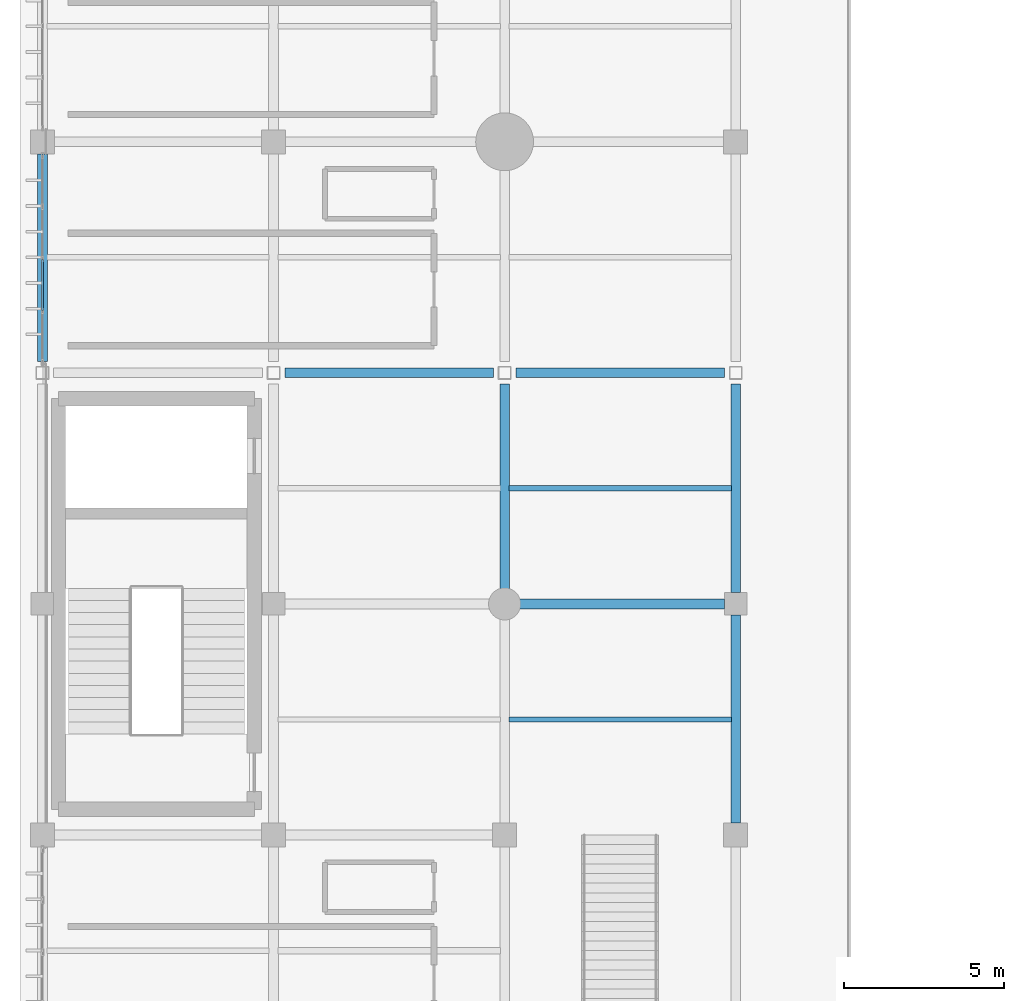
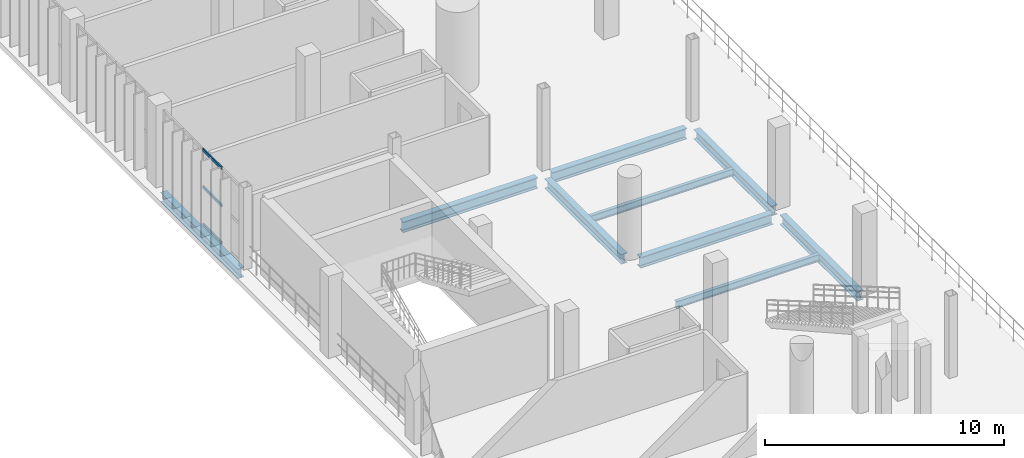
# One storey, part 53 of 130: 9 beams, 3 members, 1 element without a shape of its own.
"""IFC4 building model written with IfcOpenShell, lengths in metres."""

import ifcopenshell
import ifcopenshell.guid

model = None  # the IFC model being written
_history = None  # IfcOwnerHistory: only IFC2X3 demands one
_inside = {}  # id of a spatial element -> (the spatial element, [elements in it])
_under = {}  # id of a project, library or spatial element -> (it, [spatial elements below it])
_declared = {}  # id of a project -> (the project, [libraries it declares])
_typed = {}  # id of a type object -> (the type object, [elements of that type])
_made_of = {}  # id of a material, layer set ... -> (it, [elements and type objects made of it])


def new_model(schema):
    """Start an empty IFC model of exactly this schema.

    Asked for "IFC4X3", IfcOpenShell would pick the latest addendum, in which some entities
    have other attributes; the version numbers below select the first issue.
    IFC2X3 requires an IfcOwnerHistory on every rooted entity: one is made here for all.
    """
    global model, _history
    if schema == "IFC4X3":
        model = ifcopenshell.file(schema_version=(4, 3, 0, 0))
    else:
        model = ifcopenshell.file(schema=schema)
    _inside.clear()
    _under.clear()
    _declared.clear()
    _typed.clear()
    _made_of.clear()
    _history = None
    if model.schema == "IFC2X3":
        org = make("IfcOrganization", Name="unknown")
        user = make(
            "IfcPersonAndOrganization",
            ThePerson=make("IfcPerson", FamilyName="unknown"),
            TheOrganization=org,
        )
        app = make(
            "IfcApplication",
            ApplicationDeveloper=org,
            Version="unknown",
            ApplicationFullName="unknown",
            ApplicationIdentifier="unknown",
        )
        _history = make(
            "IfcOwnerHistory",
            OwningUser=user,
            OwningApplication=app,
            ChangeAction="ADDED",
            CreationDate=0,
        )
    return model


def make(cls, **values):
    """One entity of the class cls with the attributes given. An attribute that is None is left unset."""
    return model.create_entity(
        cls, **{name: value for name, value in values.items() if value is not None}
    )


def rooted(cls, **values):
    """An entity with a GlobalId (a new one), such as an element, a storey or a relation."""
    return make(cls, GlobalId=ifcopenshell.guid.new(), OwnerHistory=_history, **values)


def si_unit(unit_type, name, prefix=None):
    """IfcSIUnit, for example si_unit("LENGTHUNIT", "METRE", prefix="MILLI")."""
    return make("IfcSIUnit", UnitType=unit_type, Prefix=prefix, Name=name)


def assignment(units):
    """IfcUnitAssignment: the units of a project."""
    return None if units is None else make("IfcUnitAssignment", Units=units)


def point(xyz):
    """IfcCartesianPoint."""
    return None if xyz is None else make("IfcCartesianPoint", Coordinates=xyz)


def direction(xyz):
    """IfcDirection."""
    return None if xyz is None else make("IfcDirection", DirectionRatios=xyz)


def frame(location, z_axis=None, x_axis=None):
    """IfcAxis2Placement3D, a coordinate frame: its origin and axes. An axis left out is left unset."""
    return make(
        "IfcAxis2Placement3D",
        Location=point(location),
        Axis=direction(z_axis),
        RefDirection=direction(x_axis),
    )


def frame_2d(location, x_axis=None):
    """IfcAxis2Placement2D, a coordinate frame in the plane: its origin and x axis."""
    return make(
        "IfcAxis2Placement2D", Location=point(location), RefDirection=direction(x_axis)
    )


def origin():
    """The frame at (0, 0, 0) with its axes left unset."""
    return frame((0.0, 0.0, 0.0))


def origin_2d():
    """The frame at (0, 0) in the plane with its x axis left unset."""
    return frame_2d((0.0, 0.0))


def place(relative_to, where):
    """IfcLocalPlacement: puts the frame where relative to a parent placement (None: the world)."""
    return make(
        "IfcLocalPlacement", PlacementRelTo=relative_to, RelativePlacement=where
    )


def context(
    kind, dimensions, precision=None, world=None, true_north=None, identifier=None
):
    """IfcGeometricRepresentationContext, for example the 3D "Model" context."""
    return make(
        "IfcGeometricRepresentationContext",
        ContextIdentifier=identifier,
        ContextType=kind,
        CoordinateSpaceDimension=dimensions,
        Precision=precision,
        WorldCoordinateSystem=world,
        TrueNorth=true_north,
    )


def subcontext(parent, identifier, kind, view, scale=None):
    """IfcGeometricRepresentationSubContext, for example "Body" below "Model"."""
    return make(
        "IfcGeometricRepresentationSubContext",
        ContextIdentifier=identifier,
        ContextType=kind,
        ParentContext=parent,
        TargetScale=scale,
        TargetView=view,
    )


def project(units=None, contexts=None):
    """IfcProject with its units and contexts."""
    return rooted(
        "IfcProject",
        Name="project",
        RepresentationContexts=contexts,
        UnitsInContext=assignment(units),
    )


def spatial(cls, under=None, at=None, **own):
    """A site, building, storey or space (cls), placed at a placement, below another one or the project."""
    s = rooted(cls, ObjectPlacement=at, **own)
    if under is not None:
        _under.setdefault(under.id(), (under, []))[1].append(s)
    return s


def profile(cls, at=None, kind="AREA", **sizes):
    """A parametric profile (cls). Its sizes go by their IFC names, for example OverallWidth=200.0."""
    return make(cls, ProfileType=kind, Position=at, **sizes)


def hollow_rectangle(**sizes):
    """IfcRectangleHollowProfileDef."""
    return profile("IfcRectangleHollowProfileDef", **sizes)


def i_section(**sizes):
    """IfcIShapeProfileDef."""
    return profile("IfcIShapeProfileDef", **sizes)


def extrude(swept, where, along, depth):
    """IfcExtrudedAreaSolid: the profile swept, set in the frame where, extruded along a direction by depth."""
    return make(
        "IfcExtrudedAreaSolid",
        SweptArea=swept,
        Position=where,
        ExtrudedDirection=direction(along),
        Depth=depth,
    )


def shape(context_of_items, identifier, shape_type, items):
    """IfcShapeRepresentation: the items that make up one representation, for example the "Body"."""
    return make(
        "IfcShapeRepresentation",
        ContextOfItems=context_of_items,
        RepresentationIdentifier=identifier,
        RepresentationType=shape_type,
        Items=items,
    )


def material(Name=None, Category=None):
    """IfcMaterial."""
    return make("IfcMaterial", Name=Name, Category=Category)


def material_profile(
    of_material, cross_section, Name=None, Category=None, Priority=None
):
    """IfcMaterialProfile: a cross section and its material."""
    return make(
        "IfcMaterialProfile",
        Name=Name,
        Material=of_material,
        Profile=cross_section,
        Priority=Priority,
        Category=Category,
    )


def profile_set(profiles, Name=None, composite=None):
    """IfcMaterialProfileSet."""
    return make(
        "IfcMaterialProfileSet",
        Name=Name,
        MaterialProfiles=profiles,
        CompositeProfile=composite,
    )


def made_of(thing, what):
    """Note that an element or type object is made of a material, layer set ...; save() writes the relation."""
    if what is not None:
        _made_of.setdefault(what.id(), (what, []))[1].append(thing)
    return thing


def type_object(cls, material=None, **own):
    """A type object (cls), such as IfcWallType, which elements share."""
    return made_of(rooted(cls, **own), material)


def element(
    cls,
    number,
    at=None,
    inside=None,
    cuts=None,
    type_object=None,
    material=None,
    context=None,
    identifier="Body",
    shape_type=None,
    held_by="IfcProductDefinitionShape",
    body=None,
    shapes=None,
    **own,
):
    """One element of the class cls, such as IfcWall. Its Tag is "e" and its number.

    at: its placement. inside: the storey or other place that contains it. cuts: it is an
    opening in that element (IfcRelVoidsElement). A single representation is given by context,
    identifier, shape_type and body (its items); several are given by shapes. held_by: the class
    of the entity that holds the representations. save() writes the other relations.
    """
    e = rooted(cls, Tag="e%d" % number, ObjectPlacement=at, **own)
    if body is not None:
        shapes = [shape(context, identifier, shape_type, body)]
    if shapes is not None:
        e.Representation = make(held_by, Representations=shapes)
    if inside is not None:
        _inside.setdefault(inside.id(), (inside, []))[1].append(e)
    if cuts is not None:
        rooted(
            "IfcRelVoidsElement", RelatingBuildingElement=cuts, RelatedOpeningElement=e
        )
    if type_object is not None:
        _typed.setdefault(type_object.id(), (type_object, []))[1].append(e)
    return made_of(e, material)


def aggregate(whole, parts):
    """IfcRelAggregates: a whole, such as a stair, and the parts it consists of."""
    return rooted("IfcRelAggregates", RelatingObject=whole, RelatedObjects=parts)


def save(model, path):
    """Write the relations noted so far, then the file.

    IfcRelAggregates (storeys below a building ...), IfcRelContainedInSpatialStructure (elements
    in a storey), IfcRelDefinesByType, IfcRelAssociatesMaterial and IfcRelDeclares: one each for
    every whole, place, type object, material and project.
    """
    for whole, parts in _under.values():
        aggregate(whole, parts)
    for where, things in _inside.values():
        rooted(
            "IfcRelContainedInSpatialStructure",
            RelatedElements=things,
            RelatingStructure=where,
        )
    for kind, things in _typed.values():
        rooted("IfcRelDefinesByType", RelatedObjects=things, RelatingType=kind)
    for what, things in _made_of.values():
        rooted("IfcRelAssociatesMaterial", RelatedObjects=things, RelatingMaterial=what)
    for by, libraries in _declared.values():
        rooted("IfcRelDeclares", RelatingContext=by, RelatedDefinitions=libraries)
    model.write(path)


model = new_model("IFC4")

# Units and contexts
model_context = context("Model", 3, precision=1e-05, world=origin(), true_north=direction((0.0, 1.0)))
body_context = subcontext(model_context, "Body", "Model", "MODEL_VIEW")
ifc_project = project(units=[si_unit("LENGTHUNIT", "METRE"), si_unit("AREAUNIT", "SQUARE_METRE"), si_unit("VOLUMEUNIT", "CUBIC_METRE"), si_unit("PLANEANGLEUNIT", "RADIAN"), si_unit("MASSUNIT", "GRAM", prefix="KILO")], contexts=[model_context])

# Site, building, storey
site_placement = place(None, origin())
site = spatial("IfcSite", under=ifc_project, at=site_placement, CompositionType="ELEMENT")
building_placement = place(site_placement, origin())
building = spatial("IfcBuilding", under=site, at=building_placement, Name="Qandorah Velis Arena", CompositionType="ELEMENT")
storey_placement = place(building_placement, frame((0.0, 0.0, 9.60009765625)))
storey = spatial("IfcBuildingStorey", under=building, at=storey_placement, Name="L02", CompositionType="ELEMENT", Elevation=9.60009765625)

# Curtain wall, members
ifc_material_1 = material(Name="Solar-control low-E double glazing", Category="glass")
curtain_wall_type = type_object("IfcCurtainWallType", Name="ARC-CW-SYS18", PredefinedType="USERDEFINED", material=ifc_material_1)
curtain_wall_placement = place(storey_placement, origin())
curtain_wall = element("IfcCurtainWall", 1, at=curtain_wall_placement, inside=storey, type_object=curtain_wall_type, Name="Unitised curtain wall L02-018", ObjectType="UNITISED CURTAIN WALL", PredefinedType="USERDEFINED")
ifc_material_2 = material(Name="Champagne-bronze anodized aluminium 6063-T6", Category="aluminium")
ifc_material_profile_1 = material_profile(ifc_material_2, hollow_rectangle(XDim=0.06494140625, YDim=0.139892578125, WallThickness=0.0029296875, at=origin_2d()), Name="ALU TRANSOM 65x140")
ifc_profile_set_1 = profile_set([ifc_material_profile_1], Name="Champagne-bronze anodized aluminium 6063-T6")
member_type = type_object("IfcMemberType", Name="ARC-CWT-140", PredefinedType="USERDEFINED", material=ifc_profile_set_1)
member_1_placement = place(storey_placement, frame((0.0, 95.54541015625, 0.032470703125), z_axis=(0.0, 1.0, 0.0), x_axis=(-1.0, 0.0, 0.0)))
member_1 = element("IfcMember", 2, at=member_1_placement, type_object=member_type, Name="CW18 transom 2.1", ObjectType="TRANSOM", PredefinedType="USERDEFINED", context=body_context, shape_type="SweptSolid", body=[
    extrude(hollow_rectangle(XDim=0.06494140625, YDim=0.139892578125, WallThickness=0.0029296875, at=origin_2d()), origin(), (0.0, 0.0, 1.0), 1.583984375),
])
member_2_placement = place(storey_placement, frame((0.0, 95.54541015625, 1.93994140625), z_axis=(0.0, 1.0, 0.0), x_axis=(-1.0, 0.0, 0.0)))
member_2 = element("IfcMember", 3, at=member_2_placement, type_object=member_type, Name="CW18 transom 2.2", ObjectType="TRANSOM", PredefinedType="USERDEFINED", context=body_context, shape_type="SweptSolid", body=[
    extrude(hollow_rectangle(XDim=0.06494140625, YDim=0.139892578125, WallThickness=0.0029296875, at=origin_2d()), origin(), (0.0, 0.0, 1.0), 1.583984375),
])
member_3_placement = place(storey_placement, frame((0.0, 95.54541015625, 3.847412109375), z_axis=(0.0, 1.0, 0.0), x_axis=(-1.0, 0.0, 0.0)))
member_3 = element("IfcMember", 4, at=member_3_placement, type_object=member_type, Name="CW18 transom 2.3", ObjectType="TRANSOM", PredefinedType="USERDEFINED", context=body_context, shape_type="SweptSolid", body=[
    extrude(hollow_rectangle(XDim=0.06494140625, YDim=0.139892578125, WallThickness=0.0029296875, at=origin_2d()), origin(), (0.0, 0.0, 1.0), 1.583984375),
])
aggregate(curtain_wall, [member_1, member_2, member_3])

# Beams
ifc_material_3 = material(Name="Steel S355", Category="steel")
ifc_material_profile_2 = material_profile(ifc_material_3, i_section(OverallWidth=0.300048828125, OverallDepth=0.5, WebThickness=0.014404296875, FlangeThickness=0.028076171875, FilletRadius=0.027099609375, at=origin_2d()), Name="HEB 500")
ifc_profile_set_2 = profile_set([ifc_material_profile_2], Name="Steel S355")
beam_type_1 = type_object("IfcBeamType", Name="STR-BM-HEB500", PredefinedType="BEAM", material=ifc_profile_set_2)
beam_1_placement = place(storey_placement, frame((0.0, 93.949951171875, -0.530029296875), z_axis=(0.0, 1.0, 0.0), x_axis=(-1.0, 0.0, 0.0)))
element("IfcBeam", 5, at=beam_1_placement, inside=storey, type_object=beam_type_1, Name="Primary floor girder L02 Y-195", PredefinedType="BEAM", context=body_context, shape_type="SweptSolid", body=[
    extrude(i_section(OverallWidth=0.300048828125, OverallDepth=0.5, WebThickness=0.014404296875, FlangeThickness=0.028076171875, FilletRadius=0.027099609375, at=origin_2d()), origin(), (0.0, 0.0, 1.0), 6.47509765625),
])
beam_2_placement = place(storey_placement, frame((14.39990234375, 86.85009765625, -0.530029296875), z_axis=(0.0, 1.0, 0.0), x_axis=(-1.0, 0.0, 0.0)))
element("IfcBeam", 6, at=beam_2_placement, inside=storey, type_object=beam_type_1, Name="Primary floor girder L02 Y-222", PredefinedType="BEAM", context=body_context, shape_type="SweptSolid", body=[
    extrude(i_section(OverallWidth=0.300048828125, OverallDepth=0.5, WebThickness=0.014404296875, FlangeThickness=0.028076171875, FilletRadius=0.027099609375, at=origin_2d()), origin(), (0.0, 0.0, 1.0), 6.39990234375),
])
beam_3_placement = place(storey_placement, frame((21.60009765625, 79.574951171875, -0.530029296875), z_axis=(0.0, 1.0, 0.0), x_axis=(-1.0, 0.0, 0.0)))
element("IfcBeam", 7, at=beam_3_placement, inside=storey, type_object=beam_type_1, Name="Primary floor girder L02 Y-235", PredefinedType="BEAM", context=body_context, shape_type="SweptSolid", body=[
    extrude(i_section(OverallWidth=0.300048828125, OverallDepth=0.5, WebThickness=0.014404296875, FlangeThickness=0.028076171875, FilletRadius=0.027099609375, at=origin_2d()), origin(), (0.0, 0.0, 1.0), 6.47509765625),
])
beam_4_placement = place(storey_placement, frame((21.60009765625, 86.75, -0.530029296875), z_axis=(0.0, 1.0, 0.0), x_axis=(-1.0, 0.0, 0.0)))
element("IfcBeam", 8, at=beam_4_placement, inside=storey, type_object=beam_type_1, Name="Primary floor girder L02 Y-236", PredefinedType="BEAM", context=body_context, shape_type="SweptSolid", body=[
    extrude(i_section(OverallWidth=0.300048828125, OverallDepth=0.5, WebThickness=0.014404296875, FlangeThickness=0.028076171875, FilletRadius=0.027099609375, at=origin_2d()), origin(), (0.0, 0.0, 1.0), 6.5),
])
ifc_material_profile_3 = material_profile(ifc_material_3, i_section(OverallWidth=0.300048828125, OverallDepth=0.550048828125, WebThickness=0.014892578125, FlangeThickness=0.029052734375, FilletRadius=0.027099609375, at=origin_2d()), Name="HEB 550")
ifc_profile_set_3 = profile_set([ifc_material_profile_3], Name="Steel S355")
beam_type_2 = type_object("IfcBeamType", Name="STR-BM-HEB550", PredefinedType="BEAM", material=ifc_profile_set_3)
beam_5_placement = place(storey_placement, frame((14.85009765625, 86.39990234375, -0.55517578125), z_axis=(1.0, 0.0, 0.0), x_axis=(0.0, 1.0, 0.0)))
element("IfcBeam", 9, at=beam_5_placement, inside=storey, type_object=beam_type_2, Name="Primary floor girder L02 X-111", PredefinedType="BEAM", context=body_context, shape_type="SweptSolid", body=[
    extrude(i_section(OverallWidth=0.300048828125, OverallDepth=0.550048828125, WebThickness=0.014892578125, FlangeThickness=0.029052734375, FilletRadius=0.027099609375, at=origin_2d()), origin(), (0.0, 0.0, 1.0), 6.39990234375),
])
for number, where, z_axis, x_axis, name in (
    (10, (7.550048828125, 93.60009765625, -0.55517578125), (1.0, 0.0, 0.0), (0.0, 1.0, 0.0), "Primary floor girder L02 X-118"),
    (11, (14.75, 93.60009765625, -0.55517578125), (1.0, 0.0, 0.0), (0.0, 1.0, 0.0), "Primary floor girder L02 X-119"),
):
    element("IfcBeam", number, at=place(storey_placement, frame(where, z_axis=z_axis, x_axis=x_axis)), inside=storey, type_object=beam_type_2, Name=name, PredefinedType="BEAM", context=body_context, shape_type="SweptSolid", body=[
        extrude(i_section(OverallWidth=0.300048828125, OverallDepth=0.550048828125, WebThickness=0.014892578125, FlangeThickness=0.029052734375, FilletRadius=0.027099609375, at=origin_2d()), origin(), (0.0, 0.0, 1.0), 6.5),
    ])
ifc_material_profile_4 = material_profile(ifc_material_3, i_section(OverallWidth=0.169921875, OverallDepth=0.360107421875, WebThickness=0.008056640625, FlangeThickness=0.0126953125, FilletRadius=0.01806640625, at=origin_2d()), Name="IPE 360")
ifc_profile_set_4 = profile_set([ifc_material_profile_4], Name="Steel S355")
beam_type_3 = type_object("IfcBeamType", Name="STR-JST-IPE360", PredefinedType="JOIST", material=ifc_profile_set_4)
for number, where, z_axis, x_axis, name in (
    (12, (14.534912109375, 82.800048828125, -0.460205078125), (1.0, 0.0, 0.0), (0.0, 1.0, 0.0), "Secondary floor joist L02-032"),
    (13, (14.534912109375, 90.0, -0.460205078125), (1.0, 0.0, 0.0), (0.0, 1.0, 0.0), "Secondary floor joist L02-033"),
):
    element("IfcBeam", number, at=place(storey_placement, frame(where, z_axis=z_axis, x_axis=x_axis)), inside=storey, type_object=beam_type_3, Name=name, PredefinedType="JOIST", context=body_context, shape_type="SweptSolid", body=[
        extrude(i_section(OverallWidth=0.169921875, OverallDepth=0.360107421875, WebThickness=0.008056640625, FlangeThickness=0.0126953125, FilletRadius=0.01806640625, at=origin_2d()), origin(), (0.0, 0.0, 1.0), 6.93017578125),
    ])

save(model, "model.ifc")
